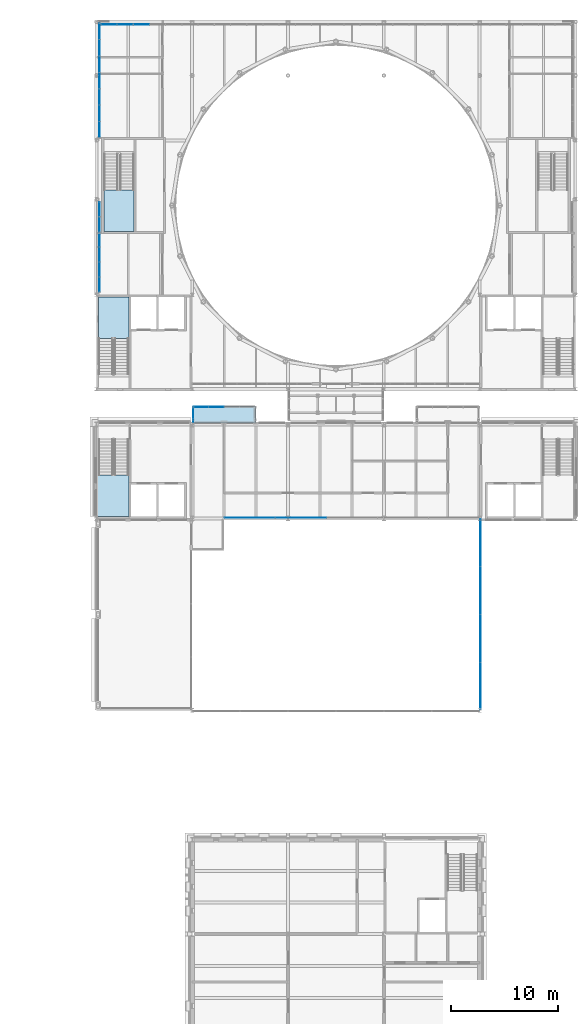
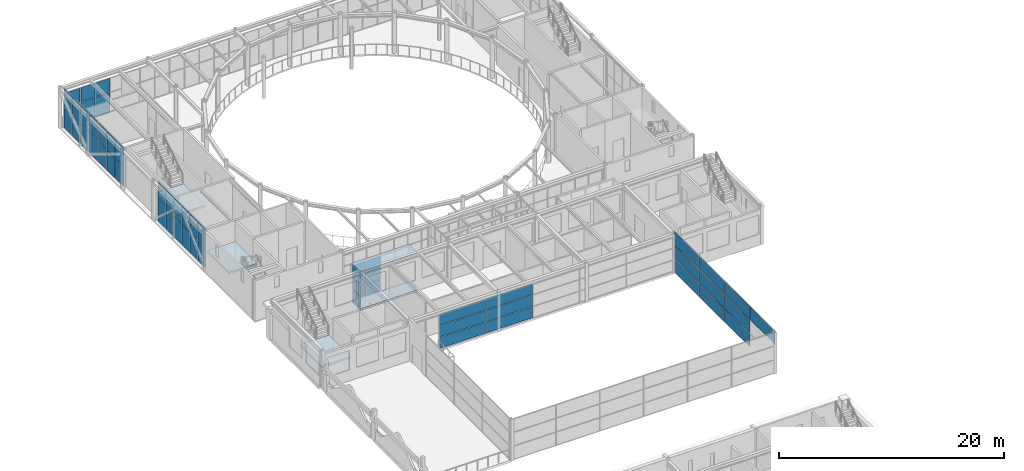
# One storey, part 45 of 70: 57 plates, 5 slabs, 10 elements without a shape of their own.
"""IFC4 building model written with IfcOpenShell, lengths in metres."""

from ifc_helpers import new_model, si_unit, direction, frame, origin, origin_2d, place, context, subcontext, project, spatial, polyline, rectangle, outline, extrude, material, layer, layer_set, type_object, element, aggregate, save


model = new_model("IFC4")

# Units and contexts
model_context = context("Model", 3, precision=1e-05, world=origin(), true_north=direction((0.0, 1.0)))
body_context = subcontext(model_context, "Body", "Model", "MODEL_VIEW")
ifc_project = project(units=[si_unit("LENGTHUNIT", "METRE"), si_unit("AREAUNIT", "SQUARE_METRE"), si_unit("VOLUMEUNIT", "CUBIC_METRE"), si_unit("PLANEANGLEUNIT", "RADIAN"), si_unit("MASSUNIT", "GRAM", prefix="KILO")], contexts=[model_context])

# Site, building, storey
site_placement = place(None, origin())
site = spatial("IfcSite", under=ifc_project, at=site_placement, CompositionType="ELEMENT")
building_placement = place(site_placement, origin())
building = spatial("IfcBuilding", under=site, at=building_placement, Name="Kallimachos Central Library", CompositionType="ELEMENT")
storey_placement = place(building_placement, frame((0.0, 0.0, 18.89990234375)))
storey = spatial("IfcBuildingStorey", under=building, at=storey_placement, Name="L04", CompositionType="ELEMENT", Elevation=18.89990234375)

# Curtain wall, plates
ifc_material_1 = material(Name="Aluminium and laminated glass", Category="aluminium")
curtain_wall_type_1 = type_object("IfcCurtainWallType", Name="Atrium glazed screen", PredefinedType="NOTDEFINED", material=ifc_material_1)
curtain_wall_1_placement = place(storey_placement, origin())
curtain_wall_1 = element("IfcCurtainWall", 1, at=curtain_wall_1_placement, inside=storey, type_object=curtain_wall_type_1, Name="L04 atrium screen N", PredefinedType="NOTDEFINED")
ifc_material_2 = material(Name="Laminated glass", Category="glass")
ifc_layer_1 = layer(ifc_material_2, 0.028076171875)
ifc_layer_set_1 = layer_set([ifc_layer_1], Name="Atrium screen glass panel")
plate_type_1 = type_object("IfcPlateType", Name="Atrium screen glass panel", PredefinedType="CURTAIN_PANEL", material=ifc_layer_set_1)
plate_1_placement = place(storey_placement, frame((79.9150390625, 75.080078125, 0.06005859375), z_axis=(0.0, 0.0, 1.0), x_axis=(1.0, 0.0, 0.0)))
plate_1 = element("IfcPlate", 2, at=plate_1_placement, type_object=plate_type_1, Name="CW panel 1.1", PredefinedType="CURTAIN_PANEL", context=body_context, shape_type="SweptSolid", body=[
    extrude(rectangle(XDim=4.7099609375, YDim=0.028076171875, at=origin_2d()), origin(), (0.0, 0.0, 1.0), 1.1767578125),
])
plate_2_placement = place(storey_placement, frame((79.9150390625, 75.080078125, 1.296875), z_axis=(0.0, 0.0, 1.0), x_axis=(1.0, 0.0, 0.0)))
plate_2 = element("IfcPlate", 3, at=plate_2_placement, type_object=plate_type_1, Name="CW panel 1.2", PredefinedType="CURTAIN_PANEL", context=body_context, shape_type="SweptSolid", body=[
    extrude(rectangle(XDim=4.7099609375, YDim=0.028076171875, at=origin_2d()), origin(), (0.0, 0.0, 1.0), 1.206787109375),
])
plate_3_placement = place(storey_placement, frame((79.9150390625, 75.080078125, 2.5634765625), z_axis=(0.0, 0.0, 1.0), x_axis=(1.0, 0.0, 0.0)))
plate_3 = element("IfcPlate", 4, at=plate_3_placement, type_object=plate_type_1, Name="CW panel 1.3", PredefinedType="CURTAIN_PANEL", context=body_context, shape_type="SweptSolid", body=[
    extrude(rectangle(XDim=4.7099609375, YDim=0.028076171875, at=origin_2d()), origin(), (0.0, 0.0, 1.0), 1.1767578125),
])
plate_4_placement = place(storey_placement, frame((84.699951171875, 75.080078125, 0.06005859375), z_axis=(0.0, 0.0, 1.0), x_axis=(1.0, 0.0, 0.0)))
plate_4 = element("IfcPlate", 5, at=plate_4_placement, type_object=plate_type_1, Name="CW panel 2.1", PredefinedType="CURTAIN_PANEL", context=body_context, shape_type="SweptSolid", body=[
    extrude(rectangle(XDim=4.739990234375, YDim=0.028076171875, at=origin_2d()), origin(), (0.0, 0.0, 1.0), 1.1767578125),
])
plate_5_placement = place(storey_placement, frame((84.699951171875, 75.080078125, 1.296875), z_axis=(0.0, 0.0, 1.0), x_axis=(1.0, 0.0, 0.0)))
plate_5 = element("IfcPlate", 6, at=plate_5_placement, type_object=plate_type_1, Name="CW panel 2.2", PredefinedType="CURTAIN_PANEL", context=body_context, shape_type="SweptSolid", body=[
    extrude(rectangle(XDim=4.739990234375, YDim=0.028076171875, at=origin_2d()), origin(), (0.0, 0.0, 1.0), 1.206787109375),
])
plate_6_placement = place(storey_placement, frame((84.699951171875, 75.080078125, 2.5634765625), z_axis=(0.0, 0.0, 1.0), x_axis=(1.0, 0.0, 0.0)))
plate_6 = element("IfcPlate", 7, at=plate_6_placement, type_object=plate_type_1, Name="CW panel 2.3", PredefinedType="CURTAIN_PANEL", context=body_context, shape_type="SweptSolid", body=[
    extrude(rectangle(XDim=4.739990234375, YDim=0.028076171875, at=origin_2d()), origin(), (0.0, 0.0, 1.0), 1.1767578125),
])
aggregate(curtain_wall_1, [plate_1, plate_2, plate_3, plate_4, plate_5, plate_6])

curtain_wall_2_placement = place(storey_placement, origin())
curtain_wall_2 = element("IfcCurtainWall", 8, at=curtain_wall_2_placement, inside=storey, type_object=curtain_wall_type_1, Name="L04 atrium screen E", PredefinedType="NOTDEFINED")
plate_7_placement = place(storey_placement, frame((101.580078125, 59.264892578125, 3.0302734375), z_axis=(0.0, 0.0, 1.0), x_axis=(0.0, 1.0, 0.0)))
plate_7 = element("IfcPlate", 9, at=plate_7_placement, type_object=plate_type_1, Name="CW panel 1.3", PredefinedType="CURTAIN_PANEL", context=body_context, shape_type="SweptSolid", body=[
    extrude(rectangle(XDim=4.409912109375, YDim=0.028076171875, at=origin_2d()), origin(), (0.0, 0.0, 1.0), 1.409912109375),
])
plate_8_placement = place(storey_placement, frame((101.580078125, 63.75, 0.06005859375), z_axis=(0.0, 0.0, 1.0), x_axis=(0.0, 1.0, 0.0)))
plate_8 = element("IfcPlate", 10, at=plate_8_placement, type_object=plate_type_1, Name="CW panel 2.1", PredefinedType="CURTAIN_PANEL", context=body_context, shape_type="SweptSolid", body=[
    extrude(rectangle(XDim=4.43994140625, YDim=0.028076171875, at=origin_2d()), origin(), (0.0, 0.0, 1.0), 1.409912109375),
])
plate_9_placement = place(storey_placement, frame((101.580078125, 63.75, 1.530029296875), z_axis=(0.0, 0.0, 1.0), x_axis=(0.0, 1.0, 0.0)))
plate_9 = element("IfcPlate", 11, at=plate_9_placement, type_object=plate_type_1, Name="CW panel 2.2", PredefinedType="CURTAIN_PANEL", context=body_context, shape_type="SweptSolid", body=[
    extrude(rectangle(XDim=4.43994140625, YDim=0.028076171875, at=origin_2d()), origin(), (0.0, 0.0, 1.0), 1.43994140625),
])
plate_10_placement = place(storey_placement, frame((101.580078125, 63.75, 3.0302734375), z_axis=(0.0, 0.0, 1.0), x_axis=(0.0, 1.0, 0.0)))
plate_10 = element("IfcPlate", 12, at=plate_10_placement, type_object=plate_type_1, Name="CW panel 2.3", PredefinedType="CURTAIN_PANEL", context=body_context, shape_type="SweptSolid", body=[
    extrude(rectangle(XDim=4.43994140625, YDim=0.028076171875, at=origin_2d()), origin(), (0.0, 0.0, 1.0), 1.409912109375),
])
plate_11_placement = place(storey_placement, frame((101.580078125, 68.25, 0.06005859375), z_axis=(0.0, 0.0, 1.0), x_axis=(0.0, 1.0, 0.0)))
plate_11 = element("IfcPlate", 13, at=plate_11_placement, type_object=plate_type_1, Name="CW panel 3.1", PredefinedType="CURTAIN_PANEL", context=body_context, shape_type="SweptSolid", body=[
    extrude(rectangle(XDim=4.43994140625, YDim=0.028076171875, at=origin_2d()), origin(), (0.0, 0.0, 1.0), 1.409912109375),
])
plate_12_placement = place(storey_placement, frame((101.580078125, 68.25, 1.530029296875), z_axis=(0.0, 0.0, 1.0), x_axis=(0.0, 1.0, 0.0)))
plate_12 = element("IfcPlate", 14, at=plate_12_placement, type_object=plate_type_1, Name="CW panel 3.2", PredefinedType="CURTAIN_PANEL", context=body_context, shape_type="SweptSolid", body=[
    extrude(rectangle(XDim=4.43994140625, YDim=0.028076171875, at=origin_2d()), origin(), (0.0, 0.0, 1.0), 1.43994140625),
])
plate_13_placement = place(storey_placement, frame((101.580078125, 68.25, 3.0302734375), z_axis=(0.0, 0.0, 1.0), x_axis=(0.0, 1.0, 0.0)))
plate_13 = element("IfcPlate", 15, at=plate_13_placement, type_object=plate_type_1, Name="CW panel 3.3", PredefinedType="CURTAIN_PANEL", context=body_context, shape_type="SweptSolid", body=[
    extrude(rectangle(XDim=4.43994140625, YDim=0.028076171875, at=origin_2d()), origin(), (0.0, 0.0, 1.0), 1.409912109375),
])
plate_14_placement = place(storey_placement, frame((101.580078125, 72.735107421875, 0.06005859375), z_axis=(0.0, 0.0, 1.0), x_axis=(0.0, 1.0, 0.0)))
plate_14 = element("IfcPlate", 16, at=plate_14_placement, type_object=plate_type_1, Name="CW panel 4.1", PredefinedType="CURTAIN_PANEL", context=body_context, shape_type="SweptSolid", body=[
    extrude(rectangle(XDim=4.409912109375, YDim=0.028076171875, at=origin_2d()), origin(), (0.0, 0.0, 1.0), 1.409912109375),
])
plate_15_placement = place(storey_placement, frame((101.580078125, 72.735107421875, 1.530029296875), z_axis=(0.0, 0.0, 1.0), x_axis=(0.0, 1.0, 0.0)))
plate_15 = element("IfcPlate", 17, at=plate_15_placement, type_object=plate_type_1, Name="CW panel 4.2", PredefinedType="CURTAIN_PANEL", context=body_context, shape_type="SweptSolid", body=[
    extrude(rectangle(XDim=4.409912109375, YDim=0.028076171875, at=origin_2d()), origin(), (0.0, 0.0, 1.0), 1.43994140625),
])
plate_16_placement = place(storey_placement, frame((101.580078125, 72.735107421875, 3.0302734375), z_axis=(0.0, 0.0, 1.0), x_axis=(0.0, 1.0, 0.0)))
plate_16 = element("IfcPlate", 18, at=plate_16_placement, type_object=plate_type_1, Name="CW panel 4.3", PredefinedType="CURTAIN_PANEL", context=body_context, shape_type="SweptSolid", body=[
    extrude(rectangle(XDim=4.409912109375, YDim=0.028076171875, at=origin_2d()), origin(), (0.0, 0.0, 1.0), 1.409912109375),
])
aggregate(curtain_wall_2, [plate_7, plate_8, plate_9, plate_10, plate_11, plate_12, plate_13, plate_14, plate_15, plate_16])

ifc_material_3 = material(Name="Anodised aluminium and laminated glass", Category="aluminium")
ifc_layer_2 = layer(ifc_material_3, 0.159912109375)
ifc_layer_set_2 = layer_set([ifc_layer_2], Name="Glass box curtain wall")
curtain_wall_type_2 = type_object("IfcCurtainWallType", Name="Glass box curtain wall", PredefinedType="NOTDEFINED", material=ifc_layer_set_2)
curtain_wall_3_placement = place(storey_placement, origin())
curtain_wall_3 = element("IfcCurtainWall", 19, at=curtain_wall_3_placement, inside=storey, type_object=curtain_wall_type_2, Name="Glass box curtain wall W L04", PredefinedType="NOTDEFINED")
ifc_material_4 = material(Name="Laminated glass", Category="glass")
ifc_layer_3 = layer(ifc_material_4, 0.028076171875)
ifc_layer_set_3 = layer_set([ifc_layer_3], Name="Laminated glass panel 28")
plate_type_2 = type_object("IfcPlateType", Name="Laminated glass panel 28", PredefinedType="CURTAIN_PANEL", material=ifc_layer_set_3)
plate_17_placement = place(storey_placement, frame((65.800048828125, 96.973388671875, 0.06005859375), z_axis=(0.0, 0.0, 1.0), x_axis=(0.0, 1.0, 0.0)))
plate_17 = element("IfcPlate", 20, at=plate_17_placement, type_object=plate_type_2, Name="CW30 panel 1.1", PredefinedType="CURTAIN_PANEL", context=body_context, shape_type="SweptSolid", body=[
    extrude(rectangle(XDim=1.32666015625, YDim=0.028076171875, at=origin_2d()), origin(), (0.0, 0.0, 1.0), 2.159912109375),
])
plate_18_placement = place(storey_placement, frame((65.800048828125, 96.973388671875, 2.2802734375), z_axis=(0.0, 0.0, 1.0), x_axis=(0.0, 1.0, 0.0)))
plate_18 = element("IfcPlate", 21, at=plate_18_placement, type_object=plate_type_2, Name="CW30 panel 1.2", PredefinedType="CURTAIN_PANEL", context=body_context, shape_type="SweptSolid", body=[
    extrude(rectangle(XDim=1.32666015625, YDim=0.028076171875, at=origin_2d()), origin(), (0.0, 0.0, 1.0), 2.010009765625),
])
plate_19_placement = place(storey_placement, frame((65.800048828125, 98.375, 0.06005859375), z_axis=(0.0, 0.0, 1.0), x_axis=(0.0, 1.0, 0.0)))
plate_19 = element("IfcPlate", 22, at=plate_19_placement, type_object=plate_type_2, Name="CW30 panel 2.1", PredefinedType="CURTAIN_PANEL", context=body_context, shape_type="SweptSolid", body=[
    extrude(rectangle(XDim=1.356689453125, YDim=0.028076171875, at=origin_2d()), origin(), (0.0, 0.0, 1.0), 2.159912109375),
])
plate_20_placement = place(storey_placement, frame((65.800048828125, 98.375, 2.2802734375), z_axis=(0.0, 0.0, 1.0), x_axis=(0.0, 1.0, 0.0)))
plate_20 = element("IfcPlate", 23, at=plate_20_placement, type_object=plate_type_2, Name="CW30 panel 2.2", PredefinedType="CURTAIN_PANEL", context=body_context, shape_type="SweptSolid", body=[
    extrude(rectangle(XDim=1.356689453125, YDim=0.028076171875, at=origin_2d()), origin(), (0.0, 0.0, 1.0), 2.010009765625),
])
plate_21_placement = place(storey_placement, frame((65.800048828125, 99.791748046875, 0.06005859375), z_axis=(0.0, 0.0, 1.0), x_axis=(0.0, 1.0, 0.0)))
plate_21 = element("IfcPlate", 24, at=plate_21_placement, type_object=plate_type_2, Name="CW30 panel 3.1", PredefinedType="CURTAIN_PANEL", context=body_context, shape_type="SweptSolid", body=[
    extrude(rectangle(XDim=1.356689453125, YDim=0.028076171875, at=origin_2d()), origin(), (0.0, 0.0, 1.0), 2.159912109375),
])
plate_22_placement = place(storey_placement, frame((65.800048828125, 99.791748046875, 2.2802734375), z_axis=(0.0, 0.0, 1.0), x_axis=(0.0, 1.0, 0.0)))
plate_22 = element("IfcPlate", 25, at=plate_22_placement, type_object=plate_type_2, Name="CW30 panel 3.2", PredefinedType="CURTAIN_PANEL", context=body_context, shape_type="SweptSolid", body=[
    extrude(rectangle(XDim=1.356689453125, YDim=0.028076171875, at=origin_2d()), origin(), (0.0, 0.0, 1.0), 2.010009765625),
])
plate_23_placement = place(storey_placement, frame((65.800048828125, 101.208251953125, 0.06005859375), z_axis=(0.0, 0.0, 1.0), x_axis=(0.0, 1.0, 0.0)))
plate_23 = element("IfcPlate", 26, at=plate_23_placement, type_object=plate_type_2, Name="CW30 panel 4.1", PredefinedType="CURTAIN_PANEL", context=body_context, shape_type="SweptSolid", body=[
    extrude(rectangle(XDim=1.356689453125, YDim=0.028076171875, at=origin_2d()), origin(), (0.0, 0.0, 1.0), 2.159912109375),
])
plate_24_placement = place(storey_placement, frame((65.800048828125, 101.208251953125, 2.2802734375), z_axis=(0.0, 0.0, 1.0), x_axis=(0.0, 1.0, 0.0)))
plate_24 = element("IfcPlate", 27, at=plate_24_placement, type_object=plate_type_2, Name="CW30 panel 4.2", PredefinedType="CURTAIN_PANEL", context=body_context, shape_type="SweptSolid", body=[
    extrude(rectangle(XDim=1.356689453125, YDim=0.028076171875, at=origin_2d()), origin(), (0.0, 0.0, 1.0), 2.010009765625),
])
plate_25_placement = place(storey_placement, frame((65.800048828125, 102.625, 0.06005859375), z_axis=(0.0, 0.0, 1.0), x_axis=(0.0, 1.0, 0.0)))
plate_25 = element("IfcPlate", 28, at=plate_25_placement, type_object=plate_type_2, Name="CW30 panel 5.1", PredefinedType="CURTAIN_PANEL", context=body_context, shape_type="SweptSolid", body=[
    extrude(rectangle(XDim=1.356689453125, YDim=0.028076171875, at=origin_2d()), origin(), (0.0, 0.0, 1.0), 2.159912109375),
])
plate_26_placement = place(storey_placement, frame((65.800048828125, 102.625, 2.2802734375), z_axis=(0.0, 0.0, 1.0), x_axis=(0.0, 1.0, 0.0)))
plate_26 = element("IfcPlate", 29, at=plate_26_placement, type_object=plate_type_2, Name="CW30 panel 5.2", PredefinedType="CURTAIN_PANEL", context=body_context, shape_type="SweptSolid", body=[
    extrude(rectangle(XDim=1.356689453125, YDim=0.028076171875, at=origin_2d()), origin(), (0.0, 0.0, 1.0), 2.010009765625),
])
plate_27_placement = place(storey_placement, frame((65.800048828125, 104.026611328125, 0.06005859375), z_axis=(0.0, 0.0, 1.0), x_axis=(0.0, 1.0, 0.0)))
plate_27 = element("IfcPlate", 30, at=plate_27_placement, type_object=plate_type_2, Name="CW30 panel 6.1", PredefinedType="CURTAIN_PANEL", context=body_context, shape_type="SweptSolid", body=[
    extrude(rectangle(XDim=1.32666015625, YDim=0.028076171875, at=origin_2d()), origin(), (0.0, 0.0, 1.0), 2.159912109375),
])
plate_28_placement = place(storey_placement, frame((65.800048828125, 104.026611328125, 2.2802734375), z_axis=(0.0, 0.0, 1.0), x_axis=(0.0, 1.0, 0.0)))
plate_28 = element("IfcPlate", 31, at=plate_28_placement, type_object=plate_type_2, Name="CW30 panel 6.2", PredefinedType="CURTAIN_PANEL", context=body_context, shape_type="SweptSolid", body=[
    extrude(rectangle(XDim=1.32666015625, YDim=0.028076171875, at=origin_2d()), origin(), (0.0, 0.0, 1.0), 2.010009765625),
])
aggregate(curtain_wall_3, [plate_17, plate_18, plate_19, plate_20, plate_21, plate_22, plate_23, plate_24, plate_25, plate_26, plate_27, plate_28])

curtain_wall_4_placement = place(storey_placement, origin())
curtain_wall_4 = element("IfcCurtainWall", 32, at=curtain_wall_4_placement, inside=storey, type_object=curtain_wall_type_2, Name="Glass box curtain wall W L04", PredefinedType="NOTDEFINED")
plate_29_placement = place(storey_placement, frame((65.800048828125, 111.532958984375, 0.06005859375), z_axis=(0.0, 0.0, 1.0), x_axis=(0.0, 1.0, 0.0)))
plate_29 = element("IfcPlate", 33, at=plate_29_placement, type_object=plate_type_2, Name="CW31 panel 1.1", PredefinedType="CURTAIN_PANEL", context=body_context, shape_type="SweptSolid", body=[
    extrude(rectangle(XDim=1.44580078125, YDim=0.028076171875, at=origin_2d()), origin(), (0.0, 0.0, 1.0), 2.159912109375),
])
plate_30_placement = place(storey_placement, frame((65.800048828125, 111.532958984375, 2.2802734375), z_axis=(0.0, 0.0, 1.0), x_axis=(0.0, 1.0, 0.0)))
plate_30 = element("IfcPlate", 34, at=plate_30_placement, type_object=plate_type_2, Name="CW31 panel 1.2", PredefinedType="CURTAIN_PANEL", context=body_context, shape_type="SweptSolid", body=[
    extrude(rectangle(XDim=1.44580078125, YDim=0.028076171875, at=origin_2d()), origin(), (0.0, 0.0, 1.0), 2.010009765625),
])
plate_31_placement = place(storey_placement, frame((65.800048828125, 113.053466796875, 0.06005859375), z_axis=(0.0, 0.0, 1.0), x_axis=(0.0, 1.0, 0.0)))
plate_31 = element("IfcPlate", 35, at=plate_31_placement, type_object=plate_type_2, Name="CW31 panel 2.1", PredefinedType="CURTAIN_PANEL", context=body_context, shape_type="SweptSolid", body=[
    extrude(rectangle(XDim=1.475830078125, YDim=0.028076171875, at=origin_2d()), origin(), (0.0, 0.0, 1.0), 2.159912109375),
])
plate_32_placement = place(storey_placement, frame((65.800048828125, 113.053466796875, 2.2802734375), z_axis=(0.0, 0.0, 1.0), x_axis=(0.0, 1.0, 0.0)))
plate_32 = element("IfcPlate", 36, at=plate_32_placement, type_object=plate_type_2, Name="CW31 panel 2.2", PredefinedType="CURTAIN_PANEL", context=body_context, shape_type="SweptSolid", body=[
    extrude(rectangle(XDim=1.475830078125, YDim=0.028076171875, at=origin_2d()), origin(), (0.0, 0.0, 1.0), 2.010009765625),
])
plate_33_placement = place(storey_placement, frame((65.800048828125, 114.58935546875, 0.06005859375), z_axis=(0.0, 0.0, 1.0), x_axis=(0.0, 1.0, 0.0)))
plate_33 = element("IfcPlate", 37, at=plate_33_placement, type_object=plate_type_2, Name="CW31 panel 3.1", PredefinedType="CURTAIN_PANEL", context=body_context, shape_type="SweptSolid", body=[
    extrude(rectangle(XDim=1.475830078125, YDim=0.028076171875, at=origin_2d()), origin(), (0.0, 0.0, 1.0), 2.159912109375),
])
plate_34_placement = place(storey_placement, frame((65.800048828125, 114.58935546875, 2.2802734375), z_axis=(0.0, 0.0, 1.0), x_axis=(0.0, 1.0, 0.0)))
plate_34 = element("IfcPlate", 38, at=plate_34_placement, type_object=plate_type_2, Name="CW31 panel 3.2", PredefinedType="CURTAIN_PANEL", context=body_context, shape_type="SweptSolid", body=[
    extrude(rectangle(XDim=1.475830078125, YDim=0.028076171875, at=origin_2d()), origin(), (0.0, 0.0, 1.0), 2.010009765625),
])
plate_35_placement = place(storey_placement, frame((65.800048828125, 116.125, 0.06005859375), z_axis=(0.0, 0.0, 1.0), x_axis=(0.0, 1.0, 0.0)))
plate_35 = element("IfcPlate", 39, at=plate_35_placement, type_object=plate_type_2, Name="CW31 panel 4.1", PredefinedType="CURTAIN_PANEL", context=body_context, shape_type="SweptSolid", body=[
    extrude(rectangle(XDim=1.475830078125, YDim=0.028076171875, at=origin_2d()), origin(), (0.0, 0.0, 1.0), 2.159912109375),
])
plate_36_placement = place(storey_placement, frame((65.800048828125, 116.125, 2.2802734375), z_axis=(0.0, 0.0, 1.0), x_axis=(0.0, 1.0, 0.0)))
plate_36 = element("IfcPlate", 40, at=plate_36_placement, type_object=plate_type_2, Name="CW31 panel 4.2", PredefinedType="CURTAIN_PANEL", context=body_context, shape_type="SweptSolid", body=[
    extrude(rectangle(XDim=1.475830078125, YDim=0.028076171875, at=origin_2d()), origin(), (0.0, 0.0, 1.0), 2.010009765625),
])
plate_37_placement = place(storey_placement, frame((65.800048828125, 117.66064453125, 0.06005859375), z_axis=(0.0, 0.0, 1.0), x_axis=(0.0, 1.0, 0.0)))
plate_37 = element("IfcPlate", 41, at=plate_37_placement, type_object=plate_type_2, Name="CW31 panel 5.1", PredefinedType="CURTAIN_PANEL", context=body_context, shape_type="SweptSolid", body=[
    extrude(rectangle(XDim=1.475830078125, YDim=0.028076171875, at=origin_2d()), origin(), (0.0, 0.0, 1.0), 2.159912109375),
])
plate_38_placement = place(storey_placement, frame((65.800048828125, 117.66064453125, 2.2802734375), z_axis=(0.0, 0.0, 1.0), x_axis=(0.0, 1.0, 0.0)))
plate_38 = element("IfcPlate", 42, at=plate_38_placement, type_object=plate_type_2, Name="CW31 panel 5.2", PredefinedType="CURTAIN_PANEL", context=body_context, shape_type="SweptSolid", body=[
    extrude(rectangle(XDim=1.475830078125, YDim=0.028076171875, at=origin_2d()), origin(), (0.0, 0.0, 1.0), 2.010009765625),
])
plate_39_placement = place(storey_placement, frame((65.800048828125, 119.196533203125, 0.06005859375), z_axis=(0.0, 0.0, 1.0), x_axis=(0.0, 1.0, 0.0)))
plate_39 = element("IfcPlate", 43, at=plate_39_placement, type_object=plate_type_2, Name="CW31 panel 6.1", PredefinedType="CURTAIN_PANEL", context=body_context, shape_type="SweptSolid", body=[
    extrude(rectangle(XDim=1.475830078125, YDim=0.028076171875, at=origin_2d()), origin(), (0.0, 0.0, 1.0), 2.159912109375),
])
plate_40_placement = place(storey_placement, frame((65.800048828125, 119.196533203125, 2.2802734375), z_axis=(0.0, 0.0, 1.0), x_axis=(0.0, 1.0, 0.0)))
plate_40 = element("IfcPlate", 44, at=plate_40_placement, type_object=plate_type_2, Name="CW31 panel 6.2", PredefinedType="CURTAIN_PANEL", context=body_context, shape_type="SweptSolid", body=[
    extrude(rectangle(XDim=1.475830078125, YDim=0.028076171875, at=origin_2d()), origin(), (0.0, 0.0, 1.0), 2.010009765625),
])
plate_41_placement = place(storey_placement, frame((65.800048828125, 120.717041015625, 0.06005859375), z_axis=(0.0, 0.0, 1.0), x_axis=(0.0, 1.0, 0.0)))
plate_41 = element("IfcPlate", 45, at=plate_41_placement, type_object=plate_type_2, Name="CW31 panel 7.1", PredefinedType="CURTAIN_PANEL", context=body_context, shape_type="SweptSolid", body=[
    extrude(rectangle(XDim=1.44580078125, YDim=0.028076171875, at=origin_2d()), origin(), (0.0, 0.0, 1.0), 2.159912109375),
])
plate_42_placement = place(storey_placement, frame((65.800048828125, 120.717041015625, 2.2802734375), z_axis=(0.0, 0.0, 1.0), x_axis=(0.0, 1.0, 0.0)))
plate_42 = element("IfcPlate", 46, at=plate_42_placement, type_object=plate_type_2, Name="CW31 panel 7.2", PredefinedType="CURTAIN_PANEL", context=body_context, shape_type="SweptSolid", body=[
    extrude(rectangle(XDim=1.44580078125, YDim=0.028076171875, at=origin_2d()), origin(), (0.0, 0.0, 1.0), 2.010009765625),
])
aggregate(curtain_wall_4, [plate_29, plate_30, plate_31, plate_32, plate_33, plate_34, plate_35, plate_36, plate_37, plate_38, plate_39, plate_40, plate_41, plate_42])

curtain_wall_5_placement = place(storey_placement, origin())
curtain_wall_5 = element("IfcCurtainWall", 47, at=curtain_wall_5_placement, inside=storey, type_object=curtain_wall_type_2, Name="Glass box curtain wall N L04", PredefinedType="NOTDEFINED")
plate_43_placement = place(storey_placement, frame((66.6962890625, 121.3798828125, 0.06005859375), z_axis=(0.0, 0.0, 1.0), x_axis=(1.0, 0.0, 0.0)))
plate_43 = element("IfcPlate", 48, at=plate_43_placement, type_object=plate_type_2, Name="CW34 panel 1.1", PredefinedType="CURTAIN_PANEL", context=body_context, shape_type="SweptSolid", body=[
    extrude(rectangle(XDim=1.432861328125, YDim=0.028076171875, at=origin_2d()), origin(), (0.0, 0.0, 1.0), 2.159912109375),
])
plate_44_placement = place(storey_placement, frame((66.6962890625, 121.3798828125, 2.2802734375), z_axis=(0.0, 0.0, 1.0), x_axis=(1.0, 0.0, 0.0)))
plate_44 = element("IfcPlate", 49, at=plate_44_placement, type_object=plate_type_2, Name="CW34 panel 1.2", PredefinedType="CURTAIN_PANEL", context=body_context, shape_type="SweptSolid", body=[
    extrude(rectangle(XDim=1.432861328125, YDim=0.028076171875, at=origin_2d()), origin(), (0.0, 0.0, 1.0), 1.510009765625),
])
plate_45_placement = place(storey_placement, frame((68.2041015625, 121.3798828125, 0.06005859375), z_axis=(0.0, 0.0, 1.0), x_axis=(1.0, 0.0, 0.0)))
plate_45 = element("IfcPlate", 50, at=plate_45_placement, type_object=plate_type_2, Name="CW34 panel 2.1", PredefinedType="CURTAIN_PANEL", context=body_context, shape_type="SweptSolid", body=[
    extrude(rectangle(XDim=1.462646484375, YDim=0.028076171875, at=origin_2d()), origin(), (0.0, 0.0, 1.0), 2.159912109375),
])
plate_46_placement = place(storey_placement, frame((68.2041015625, 121.3798828125, 2.2802734375), z_axis=(0.0, 0.0, 1.0), x_axis=(1.0, 0.0, 0.0)))
plate_46 = element("IfcPlate", 51, at=plate_46_placement, type_object=plate_type_2, Name="CW34 panel 2.2", PredefinedType="CURTAIN_PANEL", context=body_context, shape_type="SweptSolid", body=[
    extrude(rectangle(XDim=1.462646484375, YDim=0.028076171875, at=origin_2d()), origin(), (0.0, 0.0, 1.0), 1.510009765625),
])
plate_47_placement = place(storey_placement, frame((69.726806640625, 121.3798828125, 0.06005859375), z_axis=(0.0, 0.0, 1.0), x_axis=(1.0, 0.0, 0.0)))
plate_47 = element("IfcPlate", 52, at=plate_47_placement, type_object=plate_type_2, Name="CW34 panel 3.1", PredefinedType="CURTAIN_PANEL", context=body_context, shape_type="SweptSolid", body=[
    extrude(rectangle(XDim=1.462646484375, YDim=0.028076171875, at=origin_2d()), origin(), (0.0, 0.0, 1.0), 2.159912109375),
])
plate_48_placement = place(storey_placement, frame((69.726806640625, 121.3798828125, 2.2802734375), z_axis=(0.0, 0.0, 1.0), x_axis=(1.0, 0.0, 0.0)))
plate_48 = element("IfcPlate", 53, at=plate_48_placement, type_object=plate_type_2, Name="CW34 panel 3.2", PredefinedType="CURTAIN_PANEL", context=body_context, shape_type="SweptSolid", body=[
    extrude(rectangle(XDim=1.462646484375, YDim=0.028076171875, at=origin_2d()), origin(), (0.0, 0.0, 1.0), 1.510009765625),
])
aggregate(curtain_wall_5, [plate_43, plate_44, plate_45, plate_46, plate_47, plate_48])

# Stair, slab
ifc_material_5 = material(Name="Concrete C30/37", Category="concrete")
stair_type_1 = type_object("IfcStairType", Name="Escape stair", PredefinedType="HALF_TURN_STAIR", material=ifc_material_5)
stair_1_placement = place(storey_placement, origin())
stair_1 = element("IfcStair", 54, at=stair_1_placement, inside=storey, type_object=stair_type_1, Name="L04 stair ST9", PredefinedType="HALF_TURN_STAIR")
ifc_material_6 = material(Name="Concrete C30/37", Category="concrete")
ifc_layer_4 = layer(ifc_material_6, 0.199951171875)
ifc_layer_set_4 = layer_set([ifc_layer_4], Name="Stair landing")
slab_type_1 = type_object("IfcSlabType", Name="Stair landing", PredefinedType="LANDING", material=ifc_layer_set_4)
slab_1_placement = place(storey_placement, frame((0.0, 0.0, 2.050048828125)))
slab_1 = element("IfcSlab", 55, at=slab_1_placement, type_object=slab_type_1, Name="ST9 landing 1", PredefinedType="LANDING", context=body_context, shape_type="SweptSolid", body=[
    extrude(outline(polyline([(65.54638671875, 75.199951171875), (68.550048828125, 75.199951171875), (68.550048828125, 79.090087890625), (65.54638671875, 79.090087890625), (65.54638671875, 75.199951171875)])), origin(), (0.0, 0.0, 1.0), 0.199951171875),
])
aggregate(stair_1, [slab_1])

ifc_material_7 = material(Name="Steel S355J2", Category="steel")
stair_type_2 = type_object("IfcStairType", Name="Steel half-turn stair 1350", PredefinedType="HALF_TURN_STAIR", material=ifc_material_7)
stair_2_placement = place(storey_placement, origin())
stair_2 = element("IfcStair", 56, at=stair_2_placement, inside=storey, type_object=stair_type_2, Name="L04 stair ST1", PredefinedType="HALF_TURN_STAIR")
ifc_material_8 = material(Name="Concrete C30/37", Category="concrete")
ifc_layer_5 = layer(ifc_material_8, 0.199951171875)
ifc_layer_set_5 = layer_set([ifc_layer_5], Name="Stair landing slab 200")
slab_type_2 = type_object("IfcSlabType", Name="Stair landing slab 200", PredefinedType="LANDING", material=ifc_layer_set_5)
slab_2_placement = place(storey_placement, frame((0.0, 0.0, 2.050048828125)))
slab_2 = element("IfcSlab", 57, at=slab_2_placement, type_object=slab_type_2, Name="ST1 landing 1", PredefinedType="LANDING", context=body_context, shape_type="SweptSolid", body=[
    extrude(outline(polyline([(68.550048828125, 91.909912109375), (68.550048828125, 95.800048828125), (65.699951171875, 95.800048828125), (65.699951171875, 91.909912109375), (68.550048828125, 91.909912109375)])), origin(), (0.0, 0.0, 1.0), 0.199951171875),
])
aggregate(stair_2, [slab_2])

stair_3_placement = place(storey_placement, origin())
stair_3 = element("IfcStair", 58, at=stair_3_placement, inside=storey, type_object=stair_type_2, Name="L04 stair ST3", PredefinedType="HALF_TURN_STAIR")
slab_3_placement = place(storey_placement, frame((0.0, 0.0, 2.050048828125)))
slab_3 = element("IfcSlab", 59, at=slab_3_placement, type_object=slab_type_2, Name="ST3 landing 1", PredefinedType="LANDING", context=body_context, shape_type="SweptSolid", body=[
    extrude(outline(polyline([(66.199951171875, 105.864990234375), (66.199951171875, 101.97509765625), (69.050048828125, 101.97509765625), (69.050048828125, 105.864990234375), (66.199951171875, 105.864990234375)])), origin(), (0.0, 0.0, 1.0), 0.199951171875),
])
aggregate(stair_3, [slab_3])

# Slab
ifc_material_9 = material(Name="Composite slab C30/37 on steel deck", Category="concrete")
ifc_layer_6 = layer(ifc_material_9, 0.199951171875)
ifc_layer_set_6 = layer_set([ifc_layer_6], Name="Tribune bay floor slab 200")
slab_type_3 = type_object("IfcSlabType", Name="Tribune bay floor slab 200", PredefinedType="FLOOR", material=ifc_layer_set_6)
slab_4_placement = place(storey_placement, frame((0.0, 0.0, -0.199951171875)))
element("IfcSlab", 60, at=slab_4_placement, inside=storey, type_object=slab_type_3, Name="Tribune bay N1 floor L04", PredefinedType="FLOOR", context=body_context, shape_type="SweptSolid", body=[
    extrude(outline(polyline([(74.60009765625, 83.966064453125), (80.39990234375, 83.966064453125), (80.39990234375, 85.466064453125), (74.60009765625, 85.466064453125), (74.60009765625, 83.966064453125)])), origin(), (0.0, 0.0, 1.0), 0.199951171875),
])

# Curtain wall, plates
ifc_material_10 = material(Name="Aluminium and laminated glass", Category="aluminium")
curtain_wall_type_3 = type_object("IfcCurtainWallType", Name="Tribune bay glazed screen", PredefinedType="NOTDEFINED", material=ifc_material_10)
curtain_wall_6_placement = place(storey_placement, origin())
curtain_wall_6 = element("IfcCurtainWall", 61, at=curtain_wall_6_placement, inside=storey, type_object=curtain_wall_type_3, Name="Tribune bay N1 L04 front", PredefinedType="NOTDEFINED")
ifc_material_11 = material(Name="Laminated glass", Category="glass")
ifc_layer_7 = layer(ifc_material_11, 0.028076171875)
ifc_layer_set_7 = layer_set([ifc_layer_7], Name="Tribune bay glass panel")
plate_type_3 = type_object("IfcPlateType", Name="Tribune bay glass panel", PredefinedType="CURTAIN_PANEL", material=ifc_layer_set_7)
plate_49_placement = place(storey_placement, frame((75.340087890625, 85.466064453125, 0.06005859375), z_axis=(0.0, 0.0, 1.0), x_axis=(1.0, 0.0, 0.0)))
plate_49 = element("IfcPlate", 62, at=plate_49_placement, type_object=plate_type_3, Name="CW panel 1.1", PredefinedType="CURTAIN_PANEL", context=body_context, shape_type="SweptSolid", body=[
    extrude(rectangle(XDim=1.360107421875, YDim=0.028076171875, at=origin_2d()), origin(), (0.0, 0.0, 1.0), 1.193359375),
])
plate_50_placement = place(storey_placement, frame((75.340087890625, 85.466064453125, 1.3134765625), z_axis=(0.0, 0.0, 1.0), x_axis=(1.0, 0.0, 0.0)))
plate_50 = element("IfcPlate", 63, at=plate_50_placement, type_object=plate_type_3, Name="CW panel 1.2", PredefinedType="CURTAIN_PANEL", context=body_context, shape_type="SweptSolid", body=[
    extrude(rectangle(XDim=1.360107421875, YDim=0.028076171875, at=origin_2d()), origin(), (0.0, 0.0, 1.0), 1.223388671875),
])
plate_51_placement = place(storey_placement, frame((75.340087890625, 85.466064453125, 2.5966796875), z_axis=(0.0, 0.0, 1.0), x_axis=(1.0, 0.0, 0.0)))
plate_51 = element("IfcPlate", 64, at=plate_51_placement, type_object=plate_type_3, Name="CW panel 1.3", PredefinedType="CURTAIN_PANEL", context=body_context, shape_type="SweptSolid", body=[
    extrude(rectangle(XDim=1.360107421875, YDim=0.028076171875, at=origin_2d()), origin(), (0.0, 0.0, 1.0), 1.193359375),
])
plate_52_placement = place(storey_placement, frame((76.77490234375, 85.466064453125, 0.06005859375), z_axis=(0.0, 0.0, 1.0), x_axis=(1.0, 0.0, 0.0)))
plate_52 = element("IfcPlate", 65, at=plate_52_placement, type_object=plate_type_3, Name="CW panel 2.1", PredefinedType="CURTAIN_PANEL", context=body_context, shape_type="SweptSolid", body=[
    extrude(rectangle(XDim=1.389892578125, YDim=0.028076171875, at=origin_2d()), origin(), (0.0, 0.0, 1.0), 1.193359375),
])
plate_53_placement = place(storey_placement, frame((76.77490234375, 85.466064453125, 1.3134765625), z_axis=(0.0, 0.0, 1.0), x_axis=(1.0, 0.0, 0.0)))
plate_53 = element("IfcPlate", 66, at=plate_53_placement, type_object=plate_type_3, Name="CW panel 2.2", PredefinedType="CURTAIN_PANEL", context=body_context, shape_type="SweptSolid", body=[
    extrude(rectangle(XDim=1.389892578125, YDim=0.028076171875, at=origin_2d()), origin(), (0.0, 0.0, 1.0), 1.223388671875),
])
plate_54_placement = place(storey_placement, frame((76.77490234375, 85.466064453125, 2.5966796875), z_axis=(0.0, 0.0, 1.0), x_axis=(1.0, 0.0, 0.0)))
plate_54 = element("IfcPlate", 67, at=plate_54_placement, type_object=plate_type_3, Name="CW panel 2.3", PredefinedType="CURTAIN_PANEL", context=body_context, shape_type="SweptSolid", body=[
    extrude(rectangle(XDim=1.389892578125, YDim=0.028076171875, at=origin_2d()), origin(), (0.0, 0.0, 1.0), 1.193359375),
])
aggregate(curtain_wall_6, [plate_49, plate_50, plate_51, plate_52, plate_53, plate_54])

curtain_wall_7_placement = place(storey_placement, origin())
curtain_wall_7 = element("IfcCurtainWall", 68, at=curtain_wall_7_placement, inside=storey, type_object=curtain_wall_type_3, Name="Tribune bay N1 L04 return 1", PredefinedType="NOTDEFINED")
plate_55_placement = place(storey_placement, frame((74.60009765625, 84.716064453125, 0.06005859375), z_axis=(0.0, 0.0, 1.0), x_axis=(0.0, 1.0, 0.0)))
plate_55 = element("IfcPlate", 69, at=plate_55_placement, type_object=plate_type_3, Name="CW panel 1.1", PredefinedType="CURTAIN_PANEL", context=body_context, shape_type="SweptSolid", body=[
    extrude(rectangle(XDim=1.3798828125, YDim=0.028076171875, at=origin_2d()), origin(), (0.0, 0.0, 1.0), 1.193359375),
])
plate_56_placement = place(storey_placement, frame((74.60009765625, 84.716064453125, 1.3134765625), z_axis=(0.0, 0.0, 1.0), x_axis=(0.0, 1.0, 0.0)))
plate_56 = element("IfcPlate", 70, at=plate_56_placement, type_object=plate_type_3, Name="CW panel 1.2", PredefinedType="CURTAIN_PANEL", context=body_context, shape_type="SweptSolid", body=[
    extrude(rectangle(XDim=1.3798828125, YDim=0.028076171875, at=origin_2d()), origin(), (0.0, 0.0, 1.0), 1.223388671875),
])
plate_57_placement = place(storey_placement, frame((74.60009765625, 84.716064453125, 2.5966796875), z_axis=(0.0, 0.0, 1.0), x_axis=(0.0, 1.0, 0.0)))
plate_57 = element("IfcPlate", 71, at=plate_57_placement, type_object=plate_type_3, Name="CW panel 1.3", PredefinedType="CURTAIN_PANEL", context=body_context, shape_type="SweptSolid", body=[
    extrude(rectangle(XDim=1.3798828125, YDim=0.028076171875, at=origin_2d()), origin(), (0.0, 0.0, 1.0), 1.193359375),
])
aggregate(curtain_wall_7, [plate_55, plate_56, plate_57])

# Slab
ifc_material_12 = material(Name="Composite slab C30/37 on steel deck", Category="concrete")
ifc_layer_8 = layer(ifc_material_12, 0.199951171875)
ifc_layer_set_8 = layer_set([ifc_layer_8], Name="Tribune bay roof slab 200")
slab_type_4 = type_object("IfcSlabType", Name="Tribune bay roof slab 200", PredefinedType="ROOF", material=ifc_layer_set_8)
slab_5_placement = place(storey_placement, frame((0.0, 0.0, 3.85009765625)))
element("IfcSlab", 72, at=slab_5_placement, inside=storey, type_object=slab_type_4, Name="Tribune bay N1 roof", PredefinedType="ROOF", context=body_context, shape_type="SweptSolid", body=[
    extrude(outline(polyline([(74.550048828125, 83.966064453125), (80.449951171875, 83.966064453125), (80.449951171875, 85.51611328125), (74.550048828125, 85.51611328125), (74.550048828125, 83.966064453125)])), origin(), (0.0, 0.0, 1.0), 0.199951171875),
])

save(model, "model.ifc")
